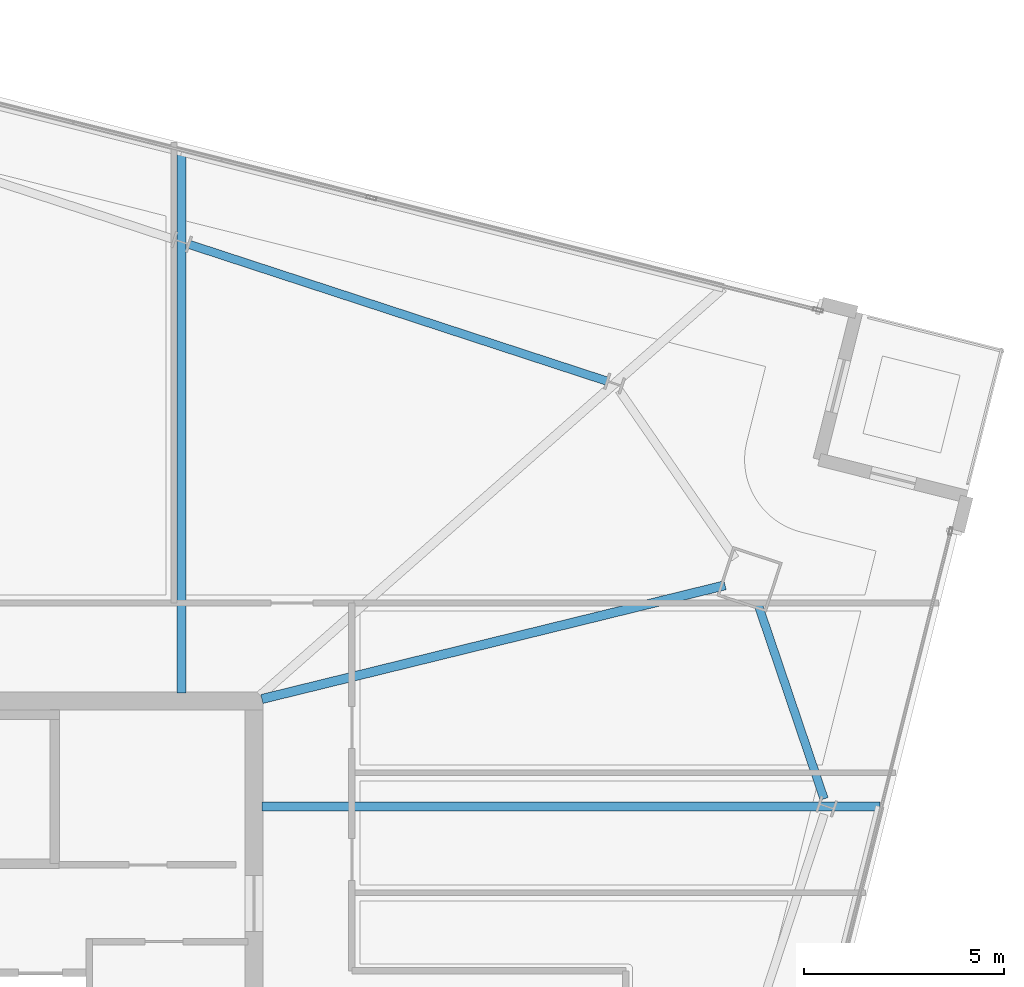
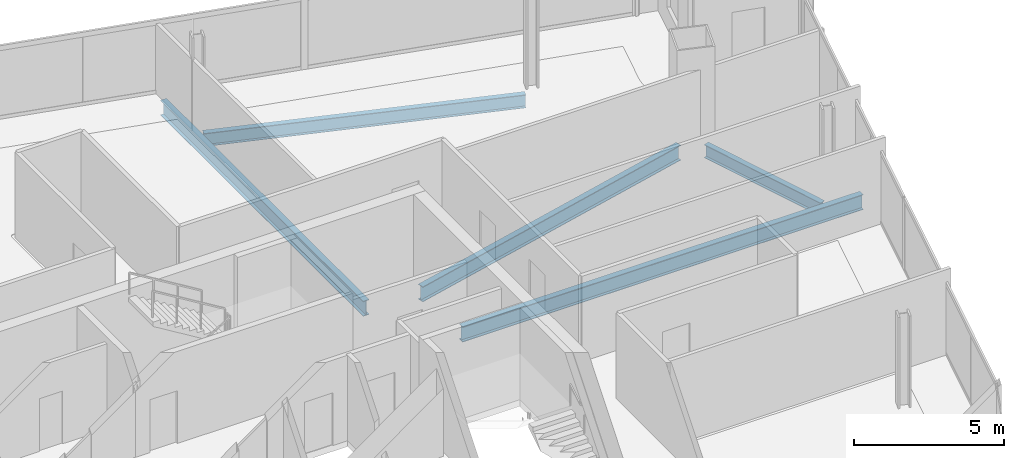
# One storey, part 15 of 28: 5 beams.
"""IFC4 building model written with IfcOpenShell, lengths in metres."""

import ifcopenshell
import ifcopenshell.guid

model = None  # the IFC model being written
_history = None  # IfcOwnerHistory: only IFC2X3 demands one
_inside = {}  # id of a spatial element -> (the spatial element, [elements in it])
_under = {}  # id of a project, library or spatial element -> (it, [spatial elements below it])
_declared = {}  # id of a project -> (the project, [libraries it declares])
_typed = {}  # id of a type object -> (the type object, [elements of that type])
_made_of = {}  # id of a material, layer set ... -> (it, [elements and type objects made of it])


def new_model(schema):
    """Start an empty IFC model of exactly this schema.

    Asked for "IFC4X3", IfcOpenShell would pick the latest addendum, in which some entities
    have other attributes; the version numbers below select the first issue.
    IFC2X3 requires an IfcOwnerHistory on every rooted entity: one is made here for all.
    """
    global model, _history
    if schema == "IFC4X3":
        model = ifcopenshell.file(schema_version=(4, 3, 0, 0))
    else:
        model = ifcopenshell.file(schema=schema)
    _inside.clear()
    _under.clear()
    _declared.clear()
    _typed.clear()
    _made_of.clear()
    _history = None
    if model.schema == "IFC2X3":
        org = make("IfcOrganization", Name="unknown")
        user = make(
            "IfcPersonAndOrganization",
            ThePerson=make("IfcPerson", FamilyName="unknown"),
            TheOrganization=org,
        )
        app = make(
            "IfcApplication",
            ApplicationDeveloper=org,
            Version="unknown",
            ApplicationFullName="unknown",
            ApplicationIdentifier="unknown",
        )
        _history = make(
            "IfcOwnerHistory",
            OwningUser=user,
            OwningApplication=app,
            ChangeAction="ADDED",
            CreationDate=0,
        )
    return model


def make(cls, **values):
    """One entity of the class cls with the attributes given. An attribute that is None is left unset."""
    return model.create_entity(
        cls, **{name: value for name, value in values.items() if value is not None}
    )


def rooted(cls, **values):
    """An entity with a GlobalId (a new one), such as an element, a storey or a relation."""
    return make(cls, GlobalId=ifcopenshell.guid.new(), OwnerHistory=_history, **values)


def si_unit(unit_type, name, prefix=None):
    """IfcSIUnit, for example si_unit("LENGTHUNIT", "METRE", prefix="MILLI")."""
    return make("IfcSIUnit", UnitType=unit_type, Prefix=prefix, Name=name)


def assignment(units):
    """IfcUnitAssignment: the units of a project."""
    return None if units is None else make("IfcUnitAssignment", Units=units)


def point(xyz):
    """IfcCartesianPoint."""
    return None if xyz is None else make("IfcCartesianPoint", Coordinates=xyz)


def direction(xyz):
    """IfcDirection."""
    return None if xyz is None else make("IfcDirection", DirectionRatios=xyz)


def frame(location, z_axis=None, x_axis=None):
    """IfcAxis2Placement3D, a coordinate frame: its origin and axes. An axis left out is left unset."""
    return make(
        "IfcAxis2Placement3D",
        Location=point(location),
        Axis=direction(z_axis),
        RefDirection=direction(x_axis),
    )


def frame_2d(location, x_axis=None):
    """IfcAxis2Placement2D, a coordinate frame in the plane: its origin and x axis."""
    return make(
        "IfcAxis2Placement2D", Location=point(location), RefDirection=direction(x_axis)
    )


def origin():
    """The frame at (0, 0, 0) with its axes left unset."""
    return frame((0.0, 0.0, 0.0))


def origin_2d():
    """The frame at (0, 0) in the plane with its x axis left unset."""
    return frame_2d((0.0, 0.0))


def place(relative_to, where):
    """IfcLocalPlacement: puts the frame where relative to a parent placement (None: the world)."""
    return make(
        "IfcLocalPlacement", PlacementRelTo=relative_to, RelativePlacement=where
    )


def context(
    kind, dimensions, precision=None, world=None, true_north=None, identifier=None
):
    """IfcGeometricRepresentationContext, for example the 3D "Model" context."""
    return make(
        "IfcGeometricRepresentationContext",
        ContextIdentifier=identifier,
        ContextType=kind,
        CoordinateSpaceDimension=dimensions,
        Precision=precision,
        WorldCoordinateSystem=world,
        TrueNorth=true_north,
    )


def subcontext(parent, identifier, kind, view, scale=None):
    """IfcGeometricRepresentationSubContext, for example "Body" below "Model"."""
    return make(
        "IfcGeometricRepresentationSubContext",
        ContextIdentifier=identifier,
        ContextType=kind,
        ParentContext=parent,
        TargetScale=scale,
        TargetView=view,
    )


def project(units=None, contexts=None):
    """IfcProject with its units and contexts."""
    return rooted(
        "IfcProject",
        Name="project",
        RepresentationContexts=contexts,
        UnitsInContext=assignment(units),
    )


def spatial(cls, under=None, at=None, **own):
    """A site, building, storey or space (cls), placed at a placement, below another one or the project."""
    s = rooted(cls, ObjectPlacement=at, **own)
    if under is not None:
        _under.setdefault(under.id(), (under, []))[1].append(s)
    return s


def profile(cls, at=None, kind="AREA", **sizes):
    """A parametric profile (cls). Its sizes go by their IFC names, for example OverallWidth=200.0."""
    return make(cls, ProfileType=kind, Position=at, **sizes)


def i_section(**sizes):
    """IfcIShapeProfileDef."""
    return profile("IfcIShapeProfileDef", **sizes)


def extrude(swept, where, along, depth):
    """IfcExtrudedAreaSolid: the profile swept, set in the frame where, extruded along a direction by depth."""
    return make(
        "IfcExtrudedAreaSolid",
        SweptArea=swept,
        Position=where,
        ExtrudedDirection=direction(along),
        Depth=depth,
    )


def shape(context_of_items, identifier, shape_type, items):
    """IfcShapeRepresentation: the items that make up one representation, for example the "Body"."""
    return make(
        "IfcShapeRepresentation",
        ContextOfItems=context_of_items,
        RepresentationIdentifier=identifier,
        RepresentationType=shape_type,
        Items=items,
    )


def material(Name=None, Category=None):
    """IfcMaterial."""
    return make("IfcMaterial", Name=Name, Category=Category)


def material_profile(
    of_material, cross_section, Name=None, Category=None, Priority=None
):
    """IfcMaterialProfile: a cross section and its material."""
    return make(
        "IfcMaterialProfile",
        Name=Name,
        Material=of_material,
        Profile=cross_section,
        Priority=Priority,
        Category=Category,
    )


def profile_set(profiles, Name=None, composite=None):
    """IfcMaterialProfileSet."""
    return make(
        "IfcMaterialProfileSet",
        Name=Name,
        MaterialProfiles=profiles,
        CompositeProfile=composite,
    )


def made_of(thing, what):
    """Note that an element or type object is made of a material, layer set ...; save() writes the relation."""
    if what is not None:
        _made_of.setdefault(what.id(), (what, []))[1].append(thing)
    return thing


def type_object(cls, material=None, **own):
    """A type object (cls), such as IfcWallType, which elements share."""
    return made_of(rooted(cls, **own), material)


def element(
    cls,
    number,
    at=None,
    inside=None,
    cuts=None,
    type_object=None,
    material=None,
    context=None,
    identifier="Body",
    shape_type=None,
    held_by="IfcProductDefinitionShape",
    body=None,
    shapes=None,
    **own,
):
    """One element of the class cls, such as IfcWall. Its Tag is "e" and its number.

    at: its placement. inside: the storey or other place that contains it. cuts: it is an
    opening in that element (IfcRelVoidsElement). A single representation is given by context,
    identifier, shape_type and body (its items); several are given by shapes. held_by: the class
    of the entity that holds the representations. save() writes the other relations.
    """
    e = rooted(cls, Tag="e%d" % number, ObjectPlacement=at, **own)
    if body is not None:
        shapes = [shape(context, identifier, shape_type, body)]
    if shapes is not None:
        e.Representation = make(held_by, Representations=shapes)
    if inside is not None:
        _inside.setdefault(inside.id(), (inside, []))[1].append(e)
    if cuts is not None:
        rooted(
            "IfcRelVoidsElement", RelatingBuildingElement=cuts, RelatedOpeningElement=e
        )
    if type_object is not None:
        _typed.setdefault(type_object.id(), (type_object, []))[1].append(e)
    return made_of(e, material)


def aggregate(whole, parts):
    """IfcRelAggregates: a whole, such as a stair, and the parts it consists of."""
    return rooted("IfcRelAggregates", RelatingObject=whole, RelatedObjects=parts)


def save(model, path):
    """Write the relations noted so far, then the file.

    IfcRelAggregates (storeys below a building ...), IfcRelContainedInSpatialStructure (elements
    in a storey), IfcRelDefinesByType, IfcRelAssociatesMaterial and IfcRelDeclares: one each for
    every whole, place, type object, material and project.
    """
    for whole, parts in _under.values():
        aggregate(whole, parts)
    for where, things in _inside.values():
        rooted(
            "IfcRelContainedInSpatialStructure",
            RelatedElements=things,
            RelatingStructure=where,
        )
    for kind, things in _typed.values():
        rooted("IfcRelDefinesByType", RelatedObjects=things, RelatingType=kind)
    for what, things in _made_of.values():
        rooted("IfcRelAssociatesMaterial", RelatedObjects=things, RelatingMaterial=what)
    for by, libraries in _declared.values():
        rooted("IfcRelDeclares", RelatingContext=by, RelatedDefinitions=libraries)
    model.write(path)


model = new_model("IFC4")

# Units and contexts
model_context = context("Model", 3, precision=1e-05, world=origin(), true_north=direction((0.0, 1.0)))
body_context = subcontext(model_context, "Body", "Model", "MODEL_VIEW")
ifc_project = project(units=[si_unit("LENGTHUNIT", "METRE"), si_unit("AREAUNIT", "SQUARE_METRE"), si_unit("VOLUMEUNIT", "CUBIC_METRE"), si_unit("PLANEANGLEUNIT", "RADIAN"), si_unit("MASSUNIT", "GRAM", prefix="KILO")], contexts=[model_context])

# Site, building, storey
site_placement = place(None, origin())
site = spatial("IfcSite", under=ifc_project, at=site_placement, CompositionType="ELEMENT")
building_placement = place(site_placement, origin())
building = spatial("IfcBuilding", under=site, at=building_placement, Name="Haldenkirk Collegiate Tower", CompositionType="ELEMENT")
storey_placement = place(building_placement, frame((0.0, 0.0, 282.449951171875)))
storey = spatial("IfcBuildingStorey", under=building, at=storey_placement, Name="L71", CompositionType="ELEMENT", Elevation=282.449951171875)

# Beams
ifc_material = material(Name="Steel ASTM A992 Grade 50", Category="steel")
ifc_material_profile_1 = material_profile(ifc_material, i_section(OverallWidth=0.22998046875, OverallDepth=0.616943359375, WebThickness=0.01318359375, FlangeThickness=0.022216796875, at=origin_2d()), Name="W24X94")
ifc_profile_set_1 = profile_set([ifc_material_profile_1], Name="Steel ASTM A992 Grade 50")
beam_type_1 = type_object("IfcBeamType", Name="BM-GIRDER-W24X94", PredefinedType="BEAM", material=ifc_profile_set_1)
beam_1_placement = place(storey_placement, frame((56.783935546875, 36.893310546875, -0.578369140625), z_axis=(-0.971153636509, -0.238454637815, 0.0), x_axis=(0.238454637815, -0.971153636509, 0.0)))
element("IfcBeam", 1, at=beam_1_placement, inside=storey, type_object=beam_type_1, Name="L71 primary floor girder 02", PredefinedType="BEAM", context=body_context, shape_type="SweptSolid", body=[
    extrude(i_section(OverallWidth=0.22998046875, OverallDepth=0.616943359375, WebThickness=0.01318359375, FlangeThickness=0.022216796875, at=origin_2d()), origin(), (0.0, 0.0, 1.0), 11.9287109375),
])
beam_2_placement = place(storey_placement, frame((60.653564453125, 31.360107421875, -0.578369140625), z_axis=(-1.0, 0.0, 0.0), x_axis=(0.0, -1.0, 0.0)))
element("IfcBeam", 2, at=beam_2_placement, inside=storey, type_object=beam_type_1, Name="L71 primary floor girder 07", PredefinedType="BEAM", context=body_context, shape_type="SweptSolid", body=[
    extrude(i_section(OverallWidth=0.22998046875, OverallDepth=0.616943359375, WebThickness=0.01318359375, FlangeThickness=0.022216796875, at=origin_2d()), origin(), (0.0, 0.0, 1.0), 15.448486328125),
])
beam_3_placement = place(storey_placement, frame((43.18994140625, 47.733154296875, -0.578369140625), z_axis=(0.0, -1.0, 0.0), x_axis=(1.0, 0.0, 0.0)))
element("IfcBeam", 3, at=beam_3_placement, inside=storey, type_object=beam_type_1, Name="L71 primary floor girder 09", PredefinedType="BEAM", context=body_context, shape_type="SweptSolid", body=[
    extrude(i_section(OverallWidth=0.22998046875, OverallDepth=0.616943359375, WebThickness=0.01318359375, FlangeThickness=0.022216796875, at=origin_2d()), origin(), (0.0, 0.0, 1.0), 13.528076171875),
])
ifc_material_profile_2 = material_profile(ifc_material, i_section(OverallWidth=0.2099609375, OverallDepth=0.537109375, WebThickness=0.010986328125, FlangeThickness=0.017333984375, at=origin_2d()), Name="W21X68")
ifc_profile_set_2 = profile_set([ifc_material_profile_2], Name="Steel ASTM A992 Grade 50")
beam_type_2 = type_object("IfcBeamType", Name="BM-SPANDREL-W21X68", PredefinedType="SPANDREL", material=ifc_profile_set_2)
beam_4_placement = place(storey_placement, frame((59.258544921875, 31.5517578125, -0.538330078125), z_axis=(-0.321225245884, 0.947002820168, 0.0), x_axis=(-0.947002820168, -0.321225245884, 0.0)))
element("IfcBeam", 4, at=beam_4_placement, inside=storey, type_object=beam_type_2, Name="L71 perimeter spandrel beam 04", PredefinedType="SPANDREL", context=body_context, shape_type="SweptSolid", body=[
    extrude(i_section(OverallWidth=0.2099609375, OverallDepth=0.537109375, WebThickness=0.010986328125, FlangeThickness=0.017333984375, at=origin_2d()), origin(), (0.0, 0.0, 1.0), 5.1689453125),
])
beam_5_placement = place(storey_placement, frame((53.825439453125, 41.99951171875, -0.538330078125), z_axis=(-0.950402144652, 0.311023734531, 0.0), x_axis=(-0.311023734531, -0.950402144652, 0.0)))
element("IfcBeam", 5, at=beam_5_placement, inside=storey, type_object=beam_type_2, Name="L71 perimeter spandrel beam 06", PredefinedType="SPANDREL", context=body_context, shape_type="SweptSolid", body=[
    extrude(i_section(OverallWidth=0.2099609375, OverallDepth=0.537109375, WebThickness=0.010986328125, FlangeThickness=0.017333984375, at=origin_2d()), origin(), (0.0, 0.0, 1.0), 10.98779296875),
])

save(model, "model.ifc")
